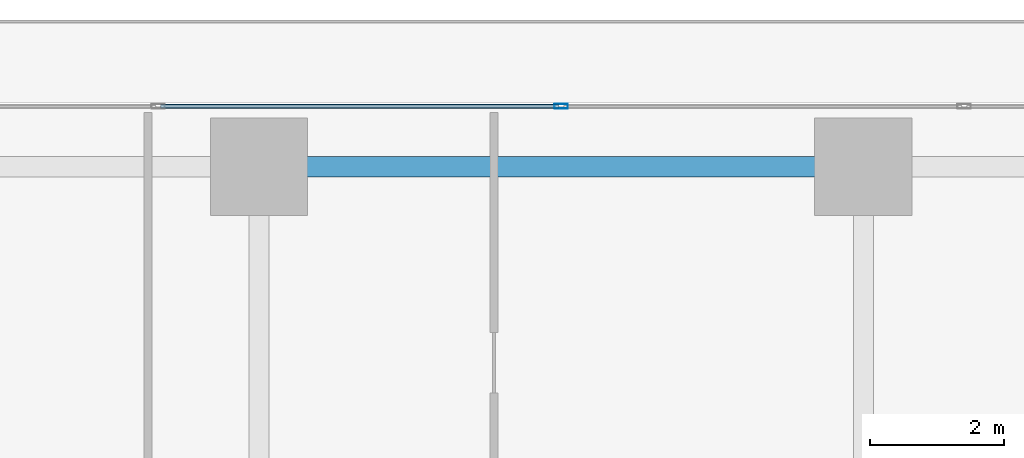
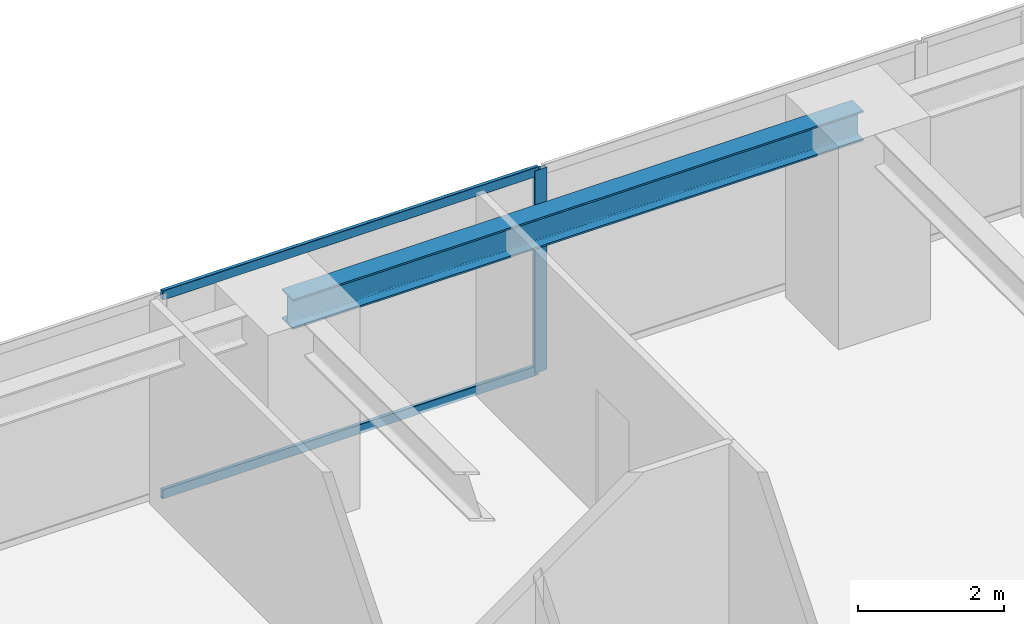
# One storey, part 21 of 40: 3 members, 1 beam, 1 element without a shape of its own.
"""IFC4 building model written with IfcOpenShell, lengths in metres."""

from ifc_helpers import new_model, si_unit, direction, frame, origin, origin_2d, place, context, subcontext, project, spatial, hollow_rectangle, i_section, extrude, source, transform, mapped, material, layer, layer_set, material_profile, profile_set, type_object, element, aggregate, save


model = new_model("IFC4")

# Units and contexts
model_context = context("Model", 3, precision=1e-05, world=origin(), true_north=direction((0.0, 1.0)))
body_context = subcontext(model_context, "Body", "Model", "MODEL_VIEW")
ifc_project = project(units=[si_unit("LENGTHUNIT", "METRE"), si_unit("AREAUNIT", "SQUARE_METRE"), si_unit("VOLUMEUNIT", "CUBIC_METRE"), si_unit("PLANEANGLEUNIT", "RADIAN"), si_unit("MASSUNIT", "GRAM", prefix="KILO")], contexts=[model_context])

# Site, building, storey
site_placement = place(None, origin())
site = spatial("IfcSite", under=ifc_project, at=site_placement, CompositionType="ELEMENT")
building_placement = place(site_placement, origin())
building = spatial("IfcBuilding", under=site, at=building_placement, Name="Serunith Strait Residences", CompositionType="ELEMENT")
storey_placement = place(building_placement, frame((0.0, 0.0, 105.449951171875)))
storey = spatial("IfcBuildingStorey", under=building, at=storey_placement, Name="L26", CompositionType="ELEMENT", Elevation=105.449951171875)

# Beam
ifc_material_1 = material(Name="Steel S355J2", Category="steel")
ifc_material_profile_1 = material_profile(ifc_material_1, i_section(OverallWidth=0.300048828125, OverallDepth=0.5, WebThickness=0.014404296875, FlangeThickness=0.028076171875, FilletRadius=0.027099609375, at=origin_2d()), Name="HEB 500")
ifc_profile_set_1 = profile_set([ifc_material_profile_1], Name="Steel S355J2")
beam_type = type_object("IfcBeamType", Name="BM-HEB500", PredefinedType="BEAM", material=ifc_profile_set_1)
shared_shape_1 = source(origin(), body_context, "Body", "SweptSolid", [
    extrude(i_section(OverallWidth=0.300048828125, OverallDepth=0.5, WebThickness=0.014404296875, FlangeThickness=0.028076171875, FilletRadius=0.027099609375, at=origin_2d()), origin(), (0.0, 0.0, 1.0), 9.0),
])
beam_placement = place(storey_placement, frame((36.89990234375, 49.300048828125, 3.136962890625), z_axis=(-1.0, 0.0, 0.0), x_axis=(0.0, -1.0, 0.0)))
element("IfcBeam", 1, at=beam_placement, inside=storey, type_object=beam_type, Name="L26 Perimeter Ring Beam 10", PredefinedType="BEAM", context=body_context, shape_type="MappedRepresentation", body=[
    mapped(shared_shape_1, transform((0.0, 0.0, 0.0), scale=1.0)),
])

# Curtain wall, members
ifc_material_2 = material(Name="Pale-Champagne Anodised Aluminium", Category="aluminium")
ifc_layer = layer(ifc_material_2, 0.199951171875, Name="Pale-Champagne Anodised Aluminium")
ifc_layer_set = layer_set([ifc_layer], Name="Pale-Champagne Anodised Aluminium")
curtain_wall_type = type_object("IfcCurtainWallType", Name="CW-SYS1", PredefinedType="NOTDEFINED", material=ifc_layer_set)
curtain_wall_placement = place(storey_placement, origin())
curtain_wall = element("IfcCurtainWall", 2, at=curtain_wall_placement, inside=storey, type_object=curtain_wall_type, Name="L26 N Unitised Fritted Curtain Wall", PredefinedType="NOTDEFINED")
ifc_material_profile_2 = material_profile(ifc_material_2, hollow_rectangle(XDim=0.06005859375, YDim=0.159912109375, WallThickness=0.00341796875, InnerFilletRadius=0.00537109375, OuterFilletRadius=0.0087890625, at=origin_2d()), Name="ALU 160x60x3.5")
ifc_profile_set_2 = profile_set([ifc_material_profile_2], Name="Pale-Champagne Anodised Aluminium")
member_type_1 = type_object("IfcMemberType", Name="CW-SYS1-TRAN", PredefinedType="USERDEFINED", material=ifc_profile_set_2)
shared_shape_2 = source(origin(), body_context, "Body", "SweptSolid", [
    extrude(hollow_rectangle(XDim=0.06005859375, YDim=0.159912109375, WallThickness=0.00341796875, InnerFilletRadius=0.00537109375, OuterFilletRadius=0.0087890625, at=origin_2d()), origin(), (0.0, 0.0, 1.0), 5.929931640625),
])
member_1_placement = place(storey_placement, frame((32.364990234375, 50.199951171875, 0.030029296875), z_axis=(-1.0, 0.0, 0.0), x_axis=(0.0, -1.0, 0.0)))
member_1 = element("IfcMember", 3, at=member_1_placement, type_object=member_type_1, Name="CW-1 transom 4.1", ObjectType="TRANSOM", PredefinedType="USERDEFINED", context=body_context, shape_type="MappedRepresentation", body=[
    mapped(shared_shape_2, transform((0.0, 0.0, 0.0), scale=1.0)),
])
member_2_placement = place(storey_placement, frame((32.364990234375, 50.199951171875, 3.344970703125), z_axis=(-1.0, 0.0, 0.0), x_axis=(0.0, -1.0, 0.0)))
member_2 = element("IfcMember", 4, at=member_2_placement, type_object=member_type_1, Name="CW-1 transom 4.2", ObjectType="TRANSOM", PredefinedType="USERDEFINED", context=body_context, shape_type="MappedRepresentation", body=[
    mapped(shared_shape_2, transform((0.0, 0.0, 0.0), scale=1.0)),
])
ifc_material_profile_3 = material_profile(ifc_material_2, hollow_rectangle(XDim=0.070068359375, YDim=0.199951171875, WallThickness=0.00390625, InnerFilletRadius=0.006103515625, OuterFilletRadius=0.010009765625, at=origin_2d()), Name="ALU 200x70x4")
ifc_profile_set_3 = profile_set([ifc_material_profile_3], Name="Pale-Champagne Anodised Aluminium")
member_type_2 = type_object("IfcMemberType", Name="CW-SYS1-MULL", PredefinedType="MULLION", material=ifc_profile_set_3)
shared_shape_3 = source(origin(), body_context, "Body", "SweptSolid", [
    extrude(hollow_rectangle(XDim=0.070068359375, YDim=0.199951171875, WallThickness=0.00390625, InnerFilletRadius=0.006103515625, OuterFilletRadius=0.010009765625, at=origin_2d()), origin(), (0.0, 0.0, 1.0), 3.375),
])
member_3_placement = place(storey_placement, frame((32.39990234375, 50.199951171875, 0.0), z_axis=(0.0, 0.0, 1.0), x_axis=(0.0, -1.0, 0.0)))
member_3 = element("IfcMember", 5, at=member_3_placement, type_object=member_type_2, Name="CW-1 mullion 4", PredefinedType="MULLION", context=body_context, shape_type="MappedRepresentation", body=[
    mapped(shared_shape_3, transform((0.0, 0.0, 0.0), scale=1.0)),
])
aggregate(curtain_wall, [member_3, member_1, member_2])

save(model, "model.ifc")
